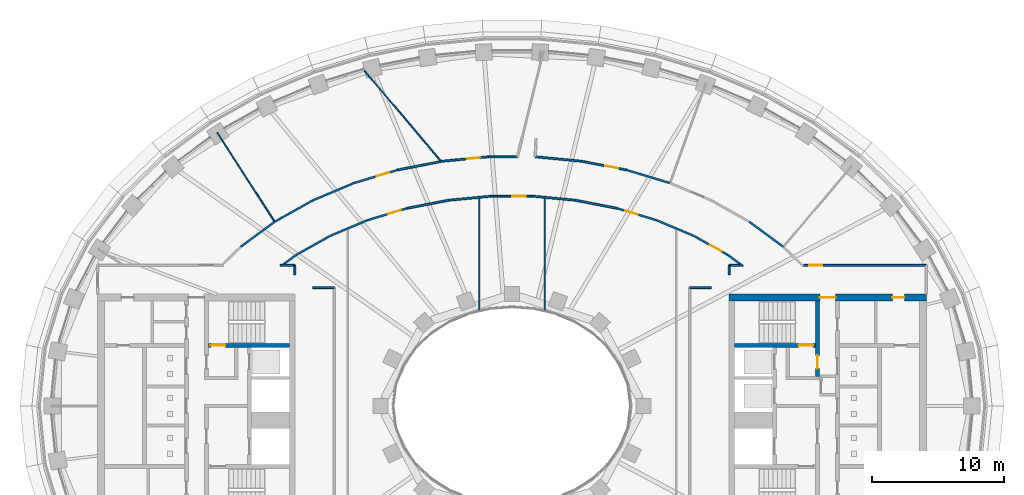
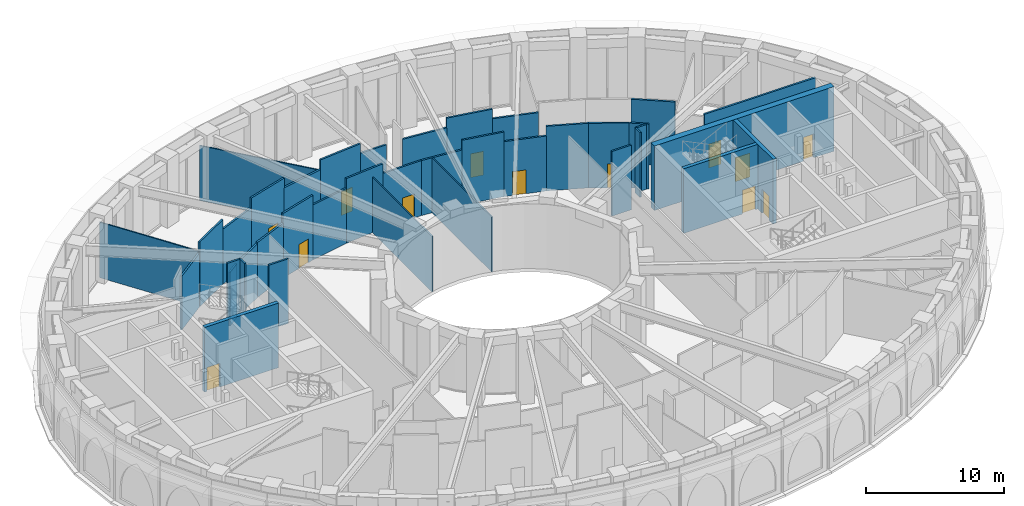
# One storey, part 6 of 23: 39 walls, 13 doors, 13 openings.
"""IFC4 building model written with IfcOpenShell, lengths in metres."""

from ifc_helpers import new_model, si_unit, direction, frame, frame_2d, origin, place, context, subcontext, project, spatial, rectangle, extrude, material, layer, layer_set, type_object, element, fill, save


model = new_model("IFC4")

# Units and contexts
model_context = context("Model", 3, precision=1e-05, world=origin(), true_north=direction((0.0, 1.0)))
body_context = subcontext(model_context, "Body", "Model", "MODEL_VIEW")
ifc_project = project(units=[si_unit("LENGTHUNIT", "METRE"), si_unit("AREAUNIT", "SQUARE_METRE"), si_unit("VOLUMEUNIT", "CUBIC_METRE"), si_unit("PLANEANGLEUNIT", "RADIAN"), si_unit("MASSUNIT", "GRAM", prefix="KILO")], contexts=[model_context])

# Site, building, storey
site_placement = place(None, origin())
site = spatial("IfcSite", under=ifc_project, at=site_placement, CompositionType="ELEMENT")
building_placement = place(site_placement, origin())
building = spatial("IfcBuilding", under=site, at=building_placement, Name="Noorbagh Ring Tower", CompositionType="ELEMENT")
storey_placement = place(building_placement, frame((0.0, 0.0, 140.0)))
storey = spatial("IfcBuildingStorey", under=building, at=storey_placement, Name="L32", CompositionType="ELEMENT", Elevation=140.0)

# Wall, opening, door
ifc_material_1 = material(Name="Concrete C70/85", Category="concrete")
ifc_layer_1 = layer(ifc_material_1, 0.300048828125)
ifc_layer_set_1 = layer_set([ifc_layer_1], Name="Concrete C70/85")
wall_type_1 = type_object("IfcWallType", Name="CORE-WALL-300-C70-85-EI240", PredefinedType="SHEAR", material=ifc_layer_set_1)
wall_1_placement = place(storey_placement, frame((-16.89990234375, 4.60009765625, 0.0), z_axis=(0.0, 0.0, 1.0), x_axis=(-1.0, 0.0, 0.0)))
wall_1 = element("IfcWall", 1, at=wall_1_placement, inside=storey, type_object=wall_type_1, Name="Core wall W", PredefinedType="SHEAR", context=body_context, shape_type="SweptSolid", body=[
    extrude(rectangle(XDim=6.18017578125, YDim=0.300048828125, at=frame_2d((3.090087890625, 0.0))), origin(), (0.0, 0.0, 1.0), 5.699951171875),
])
opening_1_placement = place(wall_1_placement, frame((4.89990234375, 0.0, 0.0)))
opening_1 = element("IfcOpeningElement", 2, at=opening_1_placement, cuts=wall_1, Name="Opening L32-CW06", PredefinedType="OPENING", context=body_context, shape_type="SweptSolid", body=[
    extrude(rectangle(XDim=1.10009765625, YDim=2.10009765625, at=frame_2d((0.550048828125, 1.050048828125))), frame((0.0, 0.16015625, 0.0), z_axis=(0.0, -1.0, 0.0), x_axis=(1.0, 0.0, 0.0)), (0.0, 0.0, 1.0), 0.320068359375),
])
ifc_material_2 = material(Name="Steel door leaf", Category="steel")
door_type_1 = type_object("IfcDoorType", Name="CORE-DOOR-DSTAIR", OperationType="SINGLE_SWING_LEFT", PredefinedType="DOOR", material=ifc_material_2)
door_1_placement = place(opening_1_placement, origin())
door_1 = element("IfcDoor", 3, at=door_1_placement, inside=storey, type_object=door_type_1, Name="Stair door ST1 L32-CW06", OperationType="SINGLE_SWING_RIGHT", OverallHeight=2.10009765625, OverallWidth=1.10009765625, PredefinedType="DOOR", context=body_context, shape_type="SweptSolid", body=[
    extrude(rectangle(XDim=1.10009765625, YDim=2.10009765625, at=frame_2d((0.550048828125, 1.050048828125))), frame((0.0, 0.02490234375, 0.0), z_axis=(0.0, -1.0, 0.0), x_axis=(1.0, 0.0, 0.0)), (0.0, 0.0, 1.0), 0.050048828125),
])
fill(opening_1, door_1)

wall_2_placement = place(storey_placement, frame((23.22998046875, 2.25, 0.0), z_axis=(0.0, 0.0, 1.0), x_axis=(0.0, 1.0, 0.0)))
wall_2 = element("IfcWall", 4, at=wall_2_placement, inside=storey, type_object=wall_type_1, Name="Core wall E", PredefinedType="SHEAR", context=body_context, shape_type="SweptSolid", body=[
    extrude(rectangle(XDim=5.75, YDim=0.300048828125, at=frame_2d((2.875, 0.0))), origin(), (0.0, 0.0, 1.0), 5.699951171875),
])
opening_2_placement = place(wall_2_placement, frame((0.60009765625, 0.0, 0.0)))
opening_2 = element("IfcOpeningElement", 5, at=opening_2_placement, cuts=wall_2, Name="Opening L32-CE10", PredefinedType="OPENING", context=body_context, shape_type="SweptSolid", body=[
    extrude(rectangle(XDim=1.0, YDim=2.10009765625, at=frame_2d((0.5, 1.050048828125))), frame((0.0, 0.16015625, 0.0), z_axis=(0.0, -1.0, 0.0), x_axis=(1.0, 0.0, 0.0)), (0.0, 0.0, 1.0), 0.320068359375),
])
ifc_material_3 = material(Name="Steel door leaf", Category="steel")
door_type_2 = type_object("IfcDoorType", Name="CORE-DOOR-DVEST", OperationType="SINGLE_SWING_LEFT", PredefinedType="DOOR", material=ifc_material_3)
door_2_placement = place(opening_2_placement, origin())
door_2 = element("IfcDoor", 6, at=door_2_placement, inside=storey, type_object=door_type_2, Name="Stair vestibule door L32-CE10", OperationType="SINGLE_SWING_RIGHT", OverallHeight=2.10009765625, OverallWidth=1.0, PredefinedType="DOOR", context=body_context, shape_type="SweptSolid", body=[
    extrude(rectangle(XDim=1.0, YDim=2.10009765625, at=frame_2d((0.5, 1.050048828125))), frame((0.0, 0.02490234375, 0.0), z_axis=(0.0, -1.0, 0.0), x_axis=(1.0, 0.0, 0.0)), (0.0, 0.0, 1.0), 0.050048828125),
])
fill(opening_2, door_2)

wall_3_placement = place(storey_placement, frame((16.89990234375, 4.60009765625, 0.0), z_axis=(0.0, 0.0, 1.0), x_axis=(1.0, 0.0, 0.0)))
wall_3 = element("IfcWall", 7, at=wall_3_placement, inside=storey, type_object=wall_type_1, Name="Core wall E", PredefinedType="SHEAR", context=body_context, shape_type="SweptSolid", body=[
    extrude(rectangle(XDim=6.18017578125, YDim=0.300048828125, at=frame_2d((3.090087890625, 0.0))), origin(), (0.0, 0.0, 1.0), 5.699951171875),
])
opening_3_placement = place(wall_3_placement, frame((4.89990234375, 0.0, 0.0)))
opening_3 = element("IfcOpeningElement", 8, at=opening_3_placement, cuts=wall_3, Name="Opening L32-CE07", PredefinedType="OPENING", context=body_context, shape_type="SweptSolid", body=[
    extrude(rectangle(XDim=1.10009765625, YDim=2.10009765625, at=frame_2d((0.550048828125, 1.050048828125))), frame((0.0, 0.16015625, 0.0), z_axis=(0.0, -1.0, 0.0), x_axis=(1.0, 0.0, 0.0)), (0.0, 0.0, 1.0), 0.320068359375),
])
door_3_placement = place(opening_3_placement, origin())
door_3 = element("IfcDoor", 9, at=door_3_placement, inside=storey, type_object=door_type_1, Name="Stair door ST3 L32-CE07", OperationType="SINGLE_SWING_LEFT", OverallHeight=2.10009765625, OverallWidth=1.10009765625, PredefinedType="DOOR", context=body_context, shape_type="SweptSolid", body=[
    extrude(rectangle(XDim=1.10009765625, YDim=2.10009765625, at=frame_2d((0.550048828125, 1.050048828125))), frame((0.0, 0.02490234375, 0.0), z_axis=(0.0, -1.0, 0.0), x_axis=(1.0, 0.0, 0.0)), (0.0, 0.0, 1.0), 0.050048828125),
])
fill(opening_3, door_3)

# Wall, openings, doors
ifc_material_4 = material(Name="Concrete C70/85", Category="concrete")
ifc_layer_2 = layer(ifc_material_4, 0.5)
ifc_layer_set_2 = layer_set([ifc_layer_2], Name="Concrete C70/85")
wall_type_2 = type_object("IfcWallType", Name="CORE-WALL-500-C70-85-EI240", PredefinedType="SHEAR", material=ifc_layer_set_2)
wall_4_placement = place(storey_placement, frame((16.5, 8.25, 0.0), z_axis=(0.0, 0.0, 1.0), x_axis=(1.0, 0.0, 0.0)))
wall_4 = element("IfcWall", 10, at=wall_4_placement, inside=storey, type_object=wall_type_2, Name="Core wall E", PredefinedType="SHEAR", context=body_context, shape_type="SweptSolid", body=[
    extrude(rectangle(XDim=15.0, YDim=0.5, at=frame_2d((7.5, 0.0))), origin(), (0.0, 0.0, 1.0), 5.699951171875),
])
opening_4_placement = place(wall_4_placement, frame((6.89990234375, 0.0, 0.0)))
opening_4 = element("IfcOpeningElement", 11, at=opening_4_placement, cuts=wall_4, Name="Opening L32-CE11", PredefinedType="OPENING", context=body_context, shape_type="SweptSolid", body=[
    extrude(rectangle(XDim=1.199951171875, YDim=2.10009765625, at=frame_2d((0.60009765625, 1.050048828125))), frame((0.0, 0.260009765625, 0.0), z_axis=(0.0, -1.0, 0.0), x_axis=(1.0, 0.0, 0.0)), (0.0, 0.0, 1.0), 0.52001953125),
])
opening_5_placement = place(wall_4_placement, frame((12.425048828125, 0.0, 0.0)))
opening_5 = element("IfcOpeningElement", 12, at=opening_5_placement, cuts=wall_4, Name="Opening L32-CE14", PredefinedType="OPENING", context=body_context, shape_type="SweptSolid", body=[
    extrude(rectangle(XDim=0.89990234375, YDim=2.10009765625, at=frame_2d((0.449951171875, 1.050048828125))), frame((0.0, 0.260009765625, 0.0), z_axis=(0.0, -1.0, 0.0), x_axis=(1.0, 0.0, 0.0)), (0.0, 0.0, 1.0), 0.52001953125),
])
ifc_material_5 = material(Name="Steel door leaf", Category="steel")
door_type_3 = type_object("IfcDoorType", Name="CORE-DOOR-DROOM", OperationType="SINGLE_SWING_LEFT", PredefinedType="DOOR", material=ifc_material_5)
door_4_placement = place(opening_5_placement, origin())
door_4 = element("IfcDoor", 13, at=door_4_placement, inside=storey, type_object=door_type_3, Name="Core room door L32-CE14", OperationType="SINGLE_SWING_LEFT", OverallHeight=2.10009765625, OverallWidth=0.89990234375, PredefinedType="DOOR", context=body_context, shape_type="SweptSolid", body=[
    extrude(rectangle(XDim=0.89990234375, YDim=2.10009765625, at=frame_2d((0.449951171875, 1.050048828125))), frame((0.0, 0.02490234375, 0.0), z_axis=(0.0, -1.0, 0.0), x_axis=(1.0, 0.0, 0.0)), (0.0, 0.0, 1.0), 0.050048828125),
])
fill(opening_5, door_4)
ifc_material_6 = material(Name="Steel door leaf", Category="steel")
door_type_4 = type_object("IfcDoorType", Name="CORE-DOOR-PORT", OperationType="DOUBLE_DOOR_DOUBLE_SWING", PredefinedType="DOOR", material=ifc_material_6)
door_5_placement = place(opening_4_placement, origin())
door_5 = element("IfcDoor", 14, at=door_5_placement, inside=storey, type_object=door_type_4, Name="Core entrance door L32-CE11", OperationType="DOUBLE_DOOR_DOUBLE_SWING", OverallHeight=2.10009765625, OverallWidth=1.199951171875, PredefinedType="DOOR", context=body_context, shape_type="SweptSolid", body=[
    extrude(rectangle(XDim=1.199951171875, YDim=2.10009765625, at=frame_2d((0.60009765625, 1.050048828125))), frame((0.0, 0.02490234375, 0.0), z_axis=(0.0, -1.0, 0.0), x_axis=(1.0, 0.0, 0.0)), (0.0, 0.0, 1.0), 0.050048828125),
])
fill(opening_4, door_5)

# Walls
ifc_material_7 = material(Name="Gypsum board on steel studs", Category="steel")
ifc_layer_3 = layer(ifc_material_7, 0.14990234375)
ifc_layer_set_3 = layer_set([ifc_layer_3], Name="Gypsum board on steel studs")
wall_type_3 = type_object("IfcWallType", Name="CORRIDOR PARTITION 150 EI 30", PredefinedType="PARTITIONING", material=ifc_layer_set_3)
wall_5_placement = place(storey_placement, frame((-20.632080078125, 12.10107421875, 0.0), z_axis=(0.0, 0.0, 1.0), x_axis=(0.805186398484, 0.5930218071, 0.0)))
element("IfcWall", 15, at=wall_5_placement, inside=storey, type_object=wall_type_3, Name="L32/wall/P13", PredefinedType="PARTITIONING", context=body_context, shape_type="SweptSolid", body=[
    extrude(rectangle(XDim=3.195556640625, YDim=0.14990234375, at=frame_2d((1.59765625, 0.0))), origin(), (0.0, 0.0, 1.0), 4.75),
])
wall_6_placement = place(storey_placement, frame((-18.02490234375, 14.01806640625, 0.0), z_axis=(0.0, 0.0, 1.0), x_axis=(0.872057509625, 0.489403412235, 0.0)))
element("IfcWall", 16, at=wall_6_placement, inside=storey, type_object=wall_type_3, Name="L32/wall/P15", PredefinedType="PARTITIONING", context=body_context, shape_type="SweptSolid", body=[
    extrude(rectangle(XDim=3.2978515625, YDim=0.14990234375, at=frame_2d((1.64892578125, 0.0))), origin(), (0.0, 0.0, 1.0), 5.699951171875),
])
wall_7_placement = place(storey_placement, frame((-17.60107421875, 10.699951171875, 0.0), z_axis=(0.0, 0.0, 1.0), x_axis=(1.0, 0.0, 0.0)))
element("IfcWall", 17, at=wall_7_placement, inside=storey, type_object=wall_type_3, Name="L32/wall/P18", PredefinedType="PARTITIONING", context=body_context, shape_type="SweptSolid", body=[
    extrude(rectangle(XDim=1.10107421875, YDim=0.14990234375, at=frame_2d((0.550537109375, 0.0))), origin(), (0.0, 0.0, 1.0), 5.699951171875),
])
wall_8_placement = place(storey_placement, frame((-17.373046875, 10.77490234375, 0.0), z_axis=(0.0, 0.0, 1.0), x_axis=(0.80517934727, 0.593031380899, 0.0)))
element("IfcWall", 18, at=wall_8_placement, inside=storey, type_object=wall_type_3, Name="L32/wall/P19", PredefinedType="PARTITIONING", context=body_context, shape_type="SweptSolid", body=[
    extrude(rectangle(XDim=1.192138671875, YDim=0.14990234375, at=frame_2d((0.59619140625, 0.0))), origin(), (0.0, 0.0, 1.0), 4.75),
])
wall_9_placement = place(storey_placement, frame((-16.5, 9.964111328125, 0.0), z_axis=(0.0, 0.0, 1.0), x_axis=(0.0, 1.0, 0.0)))
element("IfcWall", 19, at=wall_9_placement, inside=storey, type_object=wall_type_3, Name="L32/wall/P21", PredefinedType="PARTITIONING", context=body_context, shape_type="SweptSolid", body=[
    extrude(rectangle(XDim=0.73583984375, YDim=0.14990234375, at=frame_2d((0.367919921875, 0.0))), origin(), (0.0, 0.0, 1.0), 5.699951171875),
])
wall_10_placement = place(storey_placement, frame((-16.4130859375, 11.48193359375, 0.0), z_axis=(0.0, 0.0, 1.0), x_axis=(0.872085581183, 0.489353388761, 0.0)))
element("IfcWall", 20, at=wall_10_placement, inside=storey, type_object=wall_type_3, Name="L32/wall/P23", PredefinedType="PARTITIONING", context=body_context, shape_type="SweptSolid", body=[
    extrude(rectangle(XDim=2.962890625, YDim=0.14990234375, at=frame_2d((1.4814453125, 0.0))), origin(), (0.0, 0.0, 1.0), 4.75),
])
wall_11_placement = place(storey_placement, frame((-15.14892578125, 15.632080078125, 0.0), z_axis=(0.0, 0.0, 1.0), x_axis=(0.921865104958, 0.387510939537, 0.0)))
element("IfcWall", 21, at=wall_11_placement, inside=storey, type_object=wall_type_3, Name="L32/wall/P25", PredefinedType="PARTITIONING", context=body_context, shape_type="SweptSolid", body=[
    extrude(rectangle(XDim=3.3984375, YDim=0.14990234375, at=frame_2d((1.69921875, 0.0))), origin(), (0.0, 0.0, 1.0), 4.85009765625),
])
wall_12_placement = place(storey_placement, frame((-15.134033203125, 9.0, 0.0), z_axis=(0.0, 0.0, 1.0), x_axis=(1.0, 0.0, 0.0)))
element("IfcWall", 22, at=wall_12_placement, inside=storey, type_object=wall_type_3, Name="L32/wall/P27", PredefinedType="PARTITIONING", context=body_context, shape_type="SweptSolid", body=[
    extrude(rectangle(XDim=1.634033203125, YDim=0.14990234375, at=frame_2d((0.81689453125, 0.0))), origin(), (0.0, 0.0, 1.0), 5.699951171875),
])
wall_13_placement = place(storey_placement, frame((-13.8291015625, 12.931884765625, 0.0), z_axis=(0.0, 0.0, 1.0), x_axis=(0.921801441693, 0.387662355785, 0.0)))
element("IfcWall", 23, at=wall_13_placement, inside=storey, type_object=wall_type_3, Name="L32/wall/P29", PredefinedType="PARTITIONING", context=body_context, shape_type="SweptSolid", body=[
    extrude(rectangle(XDim=3.070068359375, YDim=0.14990234375, at=frame_2d((1.53515625, 0.0))), origin(), (0.0, 0.0, 1.0), 4.85009765625),
])

# Wall, opening, door
wall_14_placement = place(storey_placement, frame((-12.01611328125, 16.948974609375, 0.0), z_axis=(0.0, 0.0, 1.0), x_axis=(0.957549981281, 0.288267294969, 0.0)))
wall_14 = element("IfcWall", 24, at=wall_14_placement, inside=storey, type_object=wall_type_3, Name="L32/wall/P33", PredefinedType="PARTITIONING", context=body_context, shape_type="SweptSolid", body=[
    extrude(rectangle(XDim=3.458740234375, YDim=0.14990234375, at=frame_2d((1.7294921875, 0.0))), origin(), (0.0, 0.0, 1.0), 5.699951171875),
])
opening_6_placement = place(wall_14_placement, frame((1.808837890625, 0.0, 0.0)))
opening_6 = element("IfcOpeningElement", 25, at=opening_6_placement, cuts=wall_14, Name="Opening D1", PredefinedType="OPENING", context=body_context, shape_type="SweptSolid", body=[
    extrude(rectangle(XDim=1.0, YDim=2.10009765625, at=frame_2d((0.5, 1.050048828125))), frame((0.0, 0.0849609375, 0.0), z_axis=(0.0, -1.0, 0.0), x_axis=(1.0, 0.0, 0.0)), (0.0, 0.0, 1.0), 0.169921875),
])
ifc_material_8 = material(Name="Timber, painted", Category="wood")
door_type_5 = type_object("IfcDoorType", Name="DOOR 1000 X 2100 FD30", OperationType="SINGLE_SWING_LEFT", PredefinedType="DOOR", material=ifc_material_8)
door_6_placement = place(opening_6_placement, origin())
door_6 = element("IfcDoor", 26, at=door_6_placement, inside=storey, type_object=door_type_5, Name="L32-D11", OperationType="SINGLE_SWING_LEFT", OverallHeight=2.10009765625, OverallWidth=1.0, PredefinedType="DOOR", context=body_context, shape_type="SweptSolid", body=[
    extrude(rectangle(XDim=1.0, YDim=2.10009765625, at=frame_2d((0.5, 1.050048828125))), frame((0.0, 0.02490234375, 0.0), z_axis=(0.0, -1.0, 0.0), x_axis=(1.0, 0.0, 0.0)), (0.0, 0.0, 1.0), 0.050048828125),
])
fill(opening_6, door_6)

wall_15_placement = place(storey_placement, frame((-10.9990234375, 14.1220703125, 0.0), z_axis=(0.0, 0.0, 1.0), x_axis=(0.957527018266, 0.288343561209, 0.0)))
wall_15 = element("IfcWall", 27, at=wall_15_placement, inside=storey, type_object=wall_type_3, Name="L32/wall/P37", PredefinedType="PARTITIONING", context=body_context, shape_type="SweptSolid", body=[
    extrude(rectangle(XDim=3.14892578125, YDim=0.14990234375, at=frame_2d((1.574462890625, 0.0))), origin(), (0.0, 0.0, 1.0), 5.699951171875),
])
opening_7_placement = place(wall_15_placement, frame((1.64990234375, 0.0, 0.0)))
opening_7 = element("IfcOpeningElement", 28, at=opening_7_placement, cuts=wall_15, Name="Opening D1", PredefinedType="OPENING", context=body_context, shape_type="SweptSolid", body=[
    extrude(rectangle(XDim=1.0, YDim=2.10009765625, at=frame_2d((0.5, 1.050048828125))), frame((0.0, 0.0849609375, 0.0), z_axis=(0.0, -1.0, 0.0), x_axis=(1.0, 0.0, 0.0)), (0.0, 0.0, 1.0), 0.169921875),
])
door_7_placement = place(opening_7_placement, origin())
door_7 = element("IfcDoor", 29, at=door_7_placement, inside=storey, type_object=door_type_5, Name="L32-D20", OperationType="SINGLE_SWING_RIGHT", OverallHeight=2.10009765625, OverallWidth=1.0, PredefinedType="DOOR", context=body_context, shape_type="SweptSolid", body=[
    extrude(rectangle(XDim=1.0, YDim=2.10009765625, at=frame_2d((0.5, 1.050048828125))), frame((0.0, 0.02490234375, 0.0), z_axis=(0.0, -1.0, 0.0), x_axis=(1.0, 0.0, 0.0)), (0.0, 0.0, 1.0), 0.050048828125),
])
fill(opening_7, door_7)

# Walls
wall_16_placement = place(storey_placement, frame((-8.7041015625, 17.946044921875, 0.0), z_axis=(0.0, 0.0, 1.0), x_axis=(0.981655321849, 0.190664178821, 0.0)))
element("IfcWall", 30, at=wall_16_placement, inside=storey, type_object=wall_type_3, Name="L32/wall/P39", PredefinedType="PARTITIONING", context=body_context, shape_type="SweptSolid", body=[
    extrude(rectangle(XDim=3.498291015625, YDim=0.14990234375, at=frame_2d((1.7490234375, 0.0))), origin(), (0.0, 0.0, 1.0), 4.85009765625),
])
wall_17_placement = place(storey_placement, frame((-7.98388671875, 15.030029296875, 0.0), z_axis=(0.0, 0.0, 1.0), x_axis=(0.981616580231, 0.190863536108, 0.0)))
element("IfcWall", 31, at=wall_17_placement, inside=storey, type_object=wall_type_3, Name="L32/wall/P41", PredefinedType="PARTITIONING", context=body_context, shape_type="SweptSolid", body=[
    extrude(rectangle(XDim=3.20166015625, YDim=0.14990234375, at=frame_2d((1.600830078125, 0.0))), origin(), (0.0, 0.0, 1.0), 4.85009765625),
])

# Wall, opening, door
wall_18_placement = place(storey_placement, frame((-5.27001953125, 18.613037109375, 0.0), z_axis=(0.0, 0.0, 1.0), x_axis=(0.995464881704, 0.095129749787, 0.0)))
wall_18 = element("IfcWall", 32, at=wall_18_placement, inside=storey, type_object=wall_type_3, Name="L32/wall/P43", PredefinedType="PARTITIONING", context=body_context, shape_type="SweptSolid", body=[
    extrude(rectangle(XDim=3.52099609375, YDim=0.14990234375, at=frame_2d((1.760498046875, 0.0))), origin(), (0.0, 0.0, 1.0), 5.699951171875),
])
opening_8_placement = place(wall_18_placement, frame((1.87109375, 0.0, 0.0)))
opening_8 = element("IfcOpeningElement", 33, at=opening_8_placement, cuts=wall_18, Name="Opening D1", PredefinedType="OPENING", context=body_context, shape_type="SweptSolid", body=[
    extrude(rectangle(XDim=1.0, YDim=2.10009765625, at=frame_2d((0.5, 1.050048828125))), frame((0.0, 0.0849609375, 0.0), z_axis=(0.0, -1.0, 0.0), x_axis=(1.0, 0.0, 0.0)), (0.0, 0.0, 1.0), 0.169921875),
])
door_8_placement = place(opening_8_placement, origin())
door_8 = element("IfcDoor", 34, at=door_8_placement, inside=storey, type_object=door_type_5, Name="L32-D13", OperationType="SINGLE_SWING_LEFT", OverallHeight=2.10009765625, OverallWidth=1.0, PredefinedType="DOOR", context=body_context, shape_type="SweptSolid", body=[
    extrude(rectangle(XDim=1.0, YDim=2.10009765625, at=frame_2d((0.5, 1.050048828125))), frame((0.0, 0.02490234375, 0.0), z_axis=(0.0, -1.0, 0.0), x_axis=(1.0, 0.0, 0.0)), (0.0, 0.0, 1.0), 0.050048828125),
])
fill(opening_8, door_8)

# Walls
wall_19_placement = place(storey_placement, frame((-4.841064453125, 15.64111328125, 0.0), z_axis=(0.0, 0.0, 1.0), x_axis=(0.995486305975, 0.094905292879, 0.0)))
element("IfcWall", 35, at=wall_19_placement, inside=storey, type_object=wall_type_3, Name="L32/wall/P45", PredefinedType="PARTITIONING", context=body_context, shape_type="SweptSolid", body=[
    extrude(rectangle(XDim=3.233642578125, YDim=0.14990234375, at=frame_2d((1.61669921875, 0.0))), origin(), (0.0, 0.0, 1.0), 5.699951171875),
])
wall_20_placement = place(storey_placement, frame((-1.764892578125, 18.947998046875, 0.0), z_axis=(0.0, 0.0, 1.0), x_axis=(1.0, 0.0, 0.0)))
element("IfcWall", 36, at=wall_20_placement, inside=storey, type_object=wall_type_3, Name="L32/wall/P49", PredefinedType="PARTITIONING", context=body_context, shape_type="SweptSolid", body=[
    extrude(rectangle(XDim=2.173828125, YDim=0.14990234375, at=frame_2d((1.0869140625, 0.0))), origin(), (0.0, 0.0, 1.0), 4.85009765625),
])

# Wall, opening, door
wall_21_placement = place(storey_placement, frame((-1.6220703125, 15.947998046875, 0.0), z_axis=(0.0, 0.0, 1.0), x_axis=(1.0, 0.0, 0.0)))
wall_21 = element("IfcWall", 37, at=wall_21_placement, inside=storey, type_object=wall_type_3, Name="L32/wall/P51", PredefinedType="PARTITIONING", context=body_context, shape_type="SweptSolid", body=[
    extrude(rectangle(XDim=3.244140625, YDim=0.14990234375, at=frame_2d((1.6220703125, 0.0))), origin(), (0.0, 0.0, 1.0), 4.85009765625),
])
opening_9_placement = place(wall_21_placement, frame((1.64990234375, 0.0, 0.0)))
opening_9 = element("IfcOpeningElement", 38, at=opening_9_placement, cuts=wall_21, Name="Opening D1", PredefinedType="OPENING", context=body_context, shape_type="SweptSolid", body=[
    extrude(rectangle(XDim=1.0, YDim=2.10009765625, at=frame_2d((0.5, 1.050048828125))), frame((0.0, 0.0849609375, 0.0), z_axis=(0.0, -1.0, 0.0), x_axis=(1.0, 0.0, 0.0)), (0.0, 0.0, 1.0), 0.169921875),
])
door_9_placement = place(opening_9_placement, origin())
door_9 = element("IfcDoor", 39, at=door_9_placement, inside=storey, type_object=door_type_5, Name="L32-D22", OperationType="SINGLE_SWING_RIGHT", OverallHeight=2.10009765625, OverallWidth=1.0, PredefinedType="DOOR", context=body_context, shape_type="SweptSolid", body=[
    extrude(rectangle(XDim=1.0, YDim=2.10009765625, at=frame_2d((0.5, 1.050048828125))), frame((0.0, 0.02490234375, 0.0), z_axis=(0.0, -1.0, 0.0), x_axis=(1.0, 0.0, 0.0)), (0.0, 0.0, 1.0), 0.050048828125),
])
fill(opening_9, door_9)

# Walls
wall_22_placement = place(storey_placement, frame((1.6220703125, 15.947998046875, 0.0), z_axis=(0.0, 0.0, 1.0), x_axis=(0.995486305975, -0.094905292879, 0.0)))
element("IfcWall", 40, at=wall_22_placement, inside=storey, type_object=wall_type_3, Name="L32/wall/P57", PredefinedType="PARTITIONING", context=body_context, shape_type="SweptSolid", body=[
    extrude(rectangle(XDim=3.233642578125, YDim=0.14990234375, at=frame_2d((1.61669921875, 0.0))), origin(), (0.0, 0.0, 1.0), 4.85009765625),
])
wall_23_placement = place(storey_placement, frame((1.784912109375, 18.946044921875, 0.0), z_axis=(0.0, 0.0, 1.0), x_axis=(0.995465963487, -0.095118429016, 0.0)))
element("IfcWall", 41, at=wall_23_placement, inside=storey, type_object=wall_type_3, Name="L32/wall/P61", PredefinedType="PARTITIONING", context=body_context, shape_type="SweptSolid", body=[
    extrude(rectangle(XDim=3.5009765625, YDim=0.14990234375, at=frame_2d((1.75048828125, 0.0))), origin(), (0.0, 0.0, 1.0), 4.85009765625),
])
wall_24_placement = place(storey_placement, frame((4.841064453125, 15.64111328125, 0.0), z_axis=(0.0, 0.0, 1.0), x_axis=(0.981616580231, -0.190863536108, 0.0)))
element("IfcWall", 42, at=wall_24_placement, inside=storey, type_object=wall_type_3, Name="L32/wall/P67", PredefinedType="PARTITIONING", context=body_context, shape_type="SweptSolid", body=[
    extrude(rectangle(XDim=3.20166015625, YDim=0.14990234375, at=frame_2d((1.600830078125, 0.0))), origin(), (0.0, 0.0, 1.0), 5.699951171875),
])

# Wall, opening, door
wall_25_placement = place(storey_placement, frame((5.27001953125, 18.613037109375, 0.0), z_axis=(0.0, 0.0, 1.0), x_axis=(0.981655321849, -0.190664178821, 0.0)))
wall_25 = element("IfcWall", 43, at=wall_25_placement, inside=storey, type_object=wall_type_3, Name="L32/wall/P69", PredefinedType="PARTITIONING", context=body_context, shape_type="SweptSolid", body=[
    extrude(rectangle(XDim=3.498291015625, YDim=0.14990234375, at=frame_2d((1.7490234375, 0.0))), origin(), (0.0, 0.0, 1.0), 5.699951171875),
])
opening_10_placement = place(wall_25_placement, frame((1.84814453125, 0.0, 0.0)))
opening_10 = element("IfcOpeningElement", 44, at=opening_10_placement, cuts=wall_25, Name="Opening D1", PredefinedType="OPENING", context=body_context, shape_type="SweptSolid", body=[
    extrude(rectangle(XDim=1.0, YDim=2.10009765625, at=frame_2d((0.5, 1.050048828125))), frame((0.0, 0.0849609375, 0.0), z_axis=(0.0, -1.0, 0.0), x_axis=(1.0, 0.0, 0.0)), (0.0, 0.0, 1.0), 0.169921875),
])
door_10_placement = place(opening_10_placement, origin())
door_10 = element("IfcDoor", 45, at=door_10_placement, inside=storey, type_object=door_type_5, Name="L32-D15", OperationType="SINGLE_SWING_LEFT", OverallHeight=2.10009765625, OverallWidth=1.0, PredefinedType="DOOR", context=body_context, shape_type="SweptSolid", body=[
    extrude(rectangle(XDim=1.0, YDim=2.10009765625, at=frame_2d((0.5, 1.050048828125))), frame((0.0, 0.02490234375, 0.0), z_axis=(0.0, -1.0, 0.0), x_axis=(1.0, 0.0, 0.0)), (0.0, 0.0, 1.0), 0.050048828125),
])
fill(opening_10, door_10)

wall_26_placement = place(storey_placement, frame((7.98388671875, 15.030029296875, 0.0), z_axis=(0.0, 0.0, 1.0), x_axis=(0.957527018266, -0.288343561209, 0.0)))
wall_26 = element("IfcWall", 46, at=wall_26_placement, inside=storey, type_object=wall_type_3, Name="L32/wall/P71", PredefinedType="PARTITIONING", context=body_context, shape_type="SweptSolid", body=[
    extrude(rectangle(XDim=3.14892578125, YDim=0.14990234375, at=frame_2d((1.574462890625, 0.0))), origin(), (0.0, 0.0, 1.0), 4.85009765625),
])
opening_11_placement = place(wall_26_placement, frame((0.64990234375, 0.0, 0.0)))
opening_11 = element("IfcOpeningElement", 47, at=opening_11_placement, cuts=wall_26, Name="Opening D1", PredefinedType="OPENING", context=body_context, shape_type="SweptSolid", body=[
    extrude(rectangle(XDim=1.0, YDim=2.10009765625, at=frame_2d((0.5, 1.050048828125))), frame((0.0, 0.0849609375, 0.0), z_axis=(0.0, -1.0, 0.0), x_axis=(1.0, 0.0, 0.0)), (0.0, 0.0, 1.0), 0.169921875),
])
door_11_placement = place(opening_11_placement, origin())
door_11 = element("IfcDoor", 48, at=door_11_placement, inside=storey, type_object=door_type_5, Name="L32-D23", OperationType="SINGLE_SWING_LEFT", OverallHeight=2.10009765625, OverallWidth=1.0, PredefinedType="DOOR", context=body_context, shape_type="SweptSolid", body=[
    extrude(rectangle(XDim=1.0, YDim=2.10009765625, at=frame_2d((0.5, 1.050048828125))), frame((0.0, 0.02490234375, 0.0), z_axis=(0.0, -1.0, 0.0), x_axis=(1.0, 0.0, 0.0)), (0.0, 0.0, 1.0), 0.050048828125),
])
fill(opening_11, door_11)

# Walls
wall_27_placement = place(storey_placement, frame((8.7041015625, 17.946044921875, 0.0), z_axis=(0.0, 0.0, 1.0), x_axis=(0.957556139407, -0.288246838464, 0.0)))
element("IfcWall", 49, at=wall_27_placement, inside=storey, type_object=wall_type_3, Name="L32/wall/P73", PredefinedType="PARTITIONING", context=body_context, shape_type="SweptSolid", body=[
    extrude(rectangle(XDim=3.43798828125, YDim=0.14990234375, at=frame_2d((1.718994140625, 0.0))), origin(), (0.0, 0.0, 1.0), 4.85009765625),
])
wall_28_placement = place(storey_placement, frame((10.9990234375, 14.1220703125, 0.0), z_axis=(0.0, 0.0, 1.0), x_axis=(0.921801441693, -0.387662355785, 0.0)))
element("IfcWall", 50, at=wall_28_placement, inside=storey, type_object=wall_type_3, Name="L32/wall/P75", PredefinedType="PARTITIONING", context=body_context, shape_type="SweptSolid", body=[
    extrude(rectangle(XDim=3.070068359375, YDim=0.14990234375, at=frame_2d((1.53515625, 0.0))), origin(), (0.0, 0.0, 1.0), 5.699951171875),
])
wall_29_placement = place(storey_placement, frame((13.5, 9.0, 0.0), z_axis=(0.0, 0.0, 1.0), x_axis=(1.0, 0.0, 0.0)))
element("IfcWall", 51, at=wall_29_placement, inside=storey, type_object=wall_type_3, Name="L32/wall/P83", PredefinedType="PARTITIONING", context=body_context, shape_type="SweptSolid", body=[
    extrude(rectangle(XDim=1.634033203125, YDim=0.14990234375, at=frame_2d((0.81689453125, 0.0))), origin(), (0.0, 0.0, 1.0), 5.699951171875),
])

# Wall, opening, door
wall_30_placement = place(storey_placement, frame((13.8291015625, 12.931884765625, 0.0), z_axis=(0.0, 0.0, 1.0), x_axis=(0.872085581183, -0.489353388761, 0.0)))
wall_30 = element("IfcWall", 52, at=wall_30_placement, inside=storey, type_object=wall_type_3, Name="L32/wall/P85", PredefinedType="PARTITIONING", context=body_context, shape_type="SweptSolid", body=[
    extrude(rectangle(XDim=2.962890625, YDim=0.14990234375, at=frame_2d((1.4814453125, 0.0))), origin(), (0.0, 0.0, 1.0), 5.699951171875),
])
opening_12_placement = place(wall_30_placement, frame((1.39990234375, 0.0, 0.0)))
opening_12 = element("IfcOpeningElement", 53, at=opening_12_placement, cuts=wall_30, Name="Opening D1", PredefinedType="OPENING", context=body_context, shape_type="SweptSolid", body=[
    extrude(rectangle(XDim=1.0, YDim=2.10009765625, at=frame_2d((0.5, 1.050048828125))), frame((0.0, 0.0849609375, 0.0), z_axis=(0.0, -1.0, 0.0), x_axis=(1.0, 0.0, 0.0)), (0.0, 0.0, 1.0), 0.169921875),
])
door_12_placement = place(opening_12_placement, origin())
door_12 = element("IfcDoor", 54, at=door_12_placement, inside=storey, type_object=door_type_5, Name="L32-D24", OperationType="SINGLE_SWING_RIGHT", OverallHeight=2.10009765625, OverallWidth=1.0, PredefinedType="DOOR", context=body_context, shape_type="SweptSolid", body=[
    extrude(rectangle(XDim=1.0, YDim=2.10009765625, at=frame_2d((0.5, 1.050048828125))), frame((0.0, 0.02490234375, 0.0), z_axis=(0.0, -1.0, 0.0), x_axis=(1.0, 0.0, 0.0)), (0.0, 0.0, 1.0), 0.050048828125),
])
fill(opening_12, door_12)

# Walls
wall_31_placement = place(storey_placement, frame((16.4130859375, 11.48193359375, 0.0), z_axis=(0.0, 0.0, 1.0), x_axis=(0.805259590147, -0.592922416911, 0.0)))
element("IfcWall", 55, at=wall_31_placement, inside=storey, type_object=wall_type_3, Name="L32/wall/P89", PredefinedType="PARTITIONING", context=body_context, shape_type="SweptSolid", body=[
    extrude(rectangle(XDim=1.4453125, YDim=0.14990234375, at=frame_2d((0.72265625, 0.0))), origin(), (0.0, 0.0, 1.0), 5.699951171875),
])
wall_32_placement = place(storey_placement, frame((16.5, 9.964111328125, 0.0), z_axis=(0.0, 0.0, 1.0), x_axis=(0.0, 1.0, 0.0)))
element("IfcWall", 56, at=wall_32_placement, inside=storey, type_object=wall_type_3, Name="L32/wall/P92", PredefinedType="PARTITIONING", context=body_context, shape_type="SweptSolid", body=[
    extrude(rectangle(XDim=0.73583984375, YDim=0.14990234375, at=frame_2d((0.367919921875, 0.0))), origin(), (0.0, 0.0, 1.0), 5.699951171875),
])
wall_33_placement = place(storey_placement, frame((16.5, 10.699951171875, 0.0), z_axis=(0.0, 0.0, 1.0), x_axis=(1.0, 0.0, 0.0)))
element("IfcWall", 57, at=wall_33_placement, inside=storey, type_object=wall_type_3, Name="L32/wall/P93", PredefinedType="PARTITIONING", context=body_context, shape_type="SweptSolid", body=[
    extrude(rectangle(XDim=0.84912109375, YDim=0.14990234375, at=frame_2d((0.424560546875, 0.0))), origin(), (0.0, 0.0, 1.0), 5.699951171875),
])
wall_34_placement = place(storey_placement, frame((18.04296875, 14.008056640625, 0.0), z_axis=(0.0, 0.0, 1.0), x_axis=(0.805078886059, -0.593167756392, 0.0)))
element("IfcWall", 58, at=wall_34_placement, inside=storey, type_object=wall_type_3, Name="L32/wall/P95", PredefinedType="PARTITIONING", context=body_context, shape_type="SweptSolid", body=[
    extrude(rectangle(XDim=3.19482421875, YDim=0.14990234375, at=frame_2d((1.597412109375, 0.0))), origin(), (0.0, 0.0, 1.0), 5.699951171875),
])

# Wall, opening, door
wall_35_placement = place(storey_placement, frame((22.180908203125, 10.699951171875, 0.0), z_axis=(0.0, 0.0, 1.0), x_axis=(1.0, 0.0, 0.0)))
wall_35 = element("IfcWall", 59, at=wall_35_placement, inside=storey, type_object=wall_type_3, Name="L32/wall/P101", PredefinedType="PARTITIONING", context=body_context, shape_type="SweptSolid", body=[
    extrude(rectangle(XDim=9.319091796875, YDim=0.14990234375, at=frame_2d((4.65966796875, 0.0))), origin(), (0.0, 0.0, 1.0), 4.89990234375),
])
opening_13_placement = place(wall_35_placement, frame((0.4189453125, 0.0, 0.0)))
opening_13 = element("IfcOpeningElement", 60, at=opening_13_placement, cuts=wall_35, Name="Opening D1", PredefinedType="OPENING", context=body_context, shape_type="SweptSolid", body=[
    extrude(rectangle(XDim=1.0, YDim=2.10009765625, at=frame_2d((0.5, 1.050048828125))), frame((0.0, 0.0849609375, 0.0), z_axis=(0.0, -1.0, 0.0), x_axis=(1.0, 0.0, 0.0)), (0.0, 0.0, 1.0), 0.169921875),
])
door_13_placement = place(opening_13_placement, origin())
door_13 = element("IfcDoor", 61, at=door_13_placement, inside=storey, type_object=door_type_5, Name="L32-D18", OperationType="SINGLE_SWING_RIGHT", OverallHeight=2.10009765625, OverallWidth=1.0, PredefinedType="DOOR", context=body_context, shape_type="SweptSolid", body=[
    extrude(rectangle(XDim=1.0, YDim=2.10009765625, at=frame_2d((0.5, 1.050048828125))), frame((0.0, 0.02490234375, 0.0), z_axis=(0.0, -1.0, 0.0), x_axis=(1.0, 0.0, 0.0)), (0.0, 0.0, 1.0), 0.050048828125),
])
fill(opening_13, door_13)

# Walls
ifc_material_9 = material(Name="Gypsum board on steel studs", Category="steel")
ifc_layer_4 = layer(ifc_material_9, 0.10009765625)
ifc_layer_set_4 = layer_set([ifc_layer_4], Name="Gypsum board on steel studs")
wall_type_4 = type_object("IfcWallType", Name="PARTITION 100 GYPSUM", PredefinedType="PARTITIONING", material=ifc_layer_set_4)
wall_36_placement = place(storey_placement, frame((-22.416015625, 20.783935546875, 0.0), z_axis=(0.0, 0.0, 1.0), x_axis=(0.542253796455, -0.840214746496, 0.0)))
element("IfcWall", 62, at=wall_36_placement, inside=storey, type_object=wall_type_4, Name="L32/wall/P09", PredefinedType="PARTITIONING", context=body_context, shape_type="SweptSolid", body=[
    extrude(rectangle(XDim=8.06103515625, YDim=0.10009765625, at=frame_2d((4.030517578125, 0.0))), origin(), (0.0, 0.0, 1.0), 4.89990234375),
])
wall_37_placement = place(storey_placement, frame((-11.2900390625, 25.573974609375, 0.0), z_axis=(0.0, 0.0, 1.0), x_axis=(0.646337004363, -0.763052079999, 0.0)))
element("IfcWall", 63, at=wall_37_placement, inside=storey, type_object=wall_type_4, Name="L32/wall/P35", PredefinedType="PARTITIONING", context=body_context, shape_type="SweptSolid", body=[
    extrude(rectangle(XDim=9.063720703125, YDim=0.10009765625, at=frame_2d((4.53173828125, 0.0))), origin(), (0.0, 0.0, 1.0), 4.85009765625),
])
wall_38_placement = place(storey_placement, frame((-2.49609375, 7.177978515625, 0.0), z_axis=(0.0, 0.0, 1.0), x_axis=(0.0, 1.0, 0.0)))
element("IfcWall", 64, at=wall_38_placement, inside=storey, type_object=wall_type_4, Name="L32/wall/P47", PredefinedType="PARTITIONING", context=body_context, shape_type="SweptSolid", body=[
    extrude(rectangle(XDim=8.60791015625, YDim=0.10009765625, at=frame_2d((4.303955078125, 0.0))), origin(), (0.0, 0.0, 1.0), 4.89990234375),
])
wall_39_placement = place(storey_placement, frame((2.49609375, 7.177978515625, 0.0), z_axis=(0.0, 0.0, 1.0), x_axis=(0.0, 1.0, 0.0)))
element("IfcWall", 65, at=wall_39_placement, inside=storey, type_object=wall_type_4, Name="L32/wall/P65", PredefinedType="PARTITIONING", context=body_context, shape_type="SweptSolid", body=[
    extrude(rectangle(XDim=8.60791015625, YDim=0.10009765625, at=frame_2d((4.303955078125, 0.0))), origin(), (0.0, 0.0, 1.0), 4.85009765625),
])

save(model, "model.ifc")
